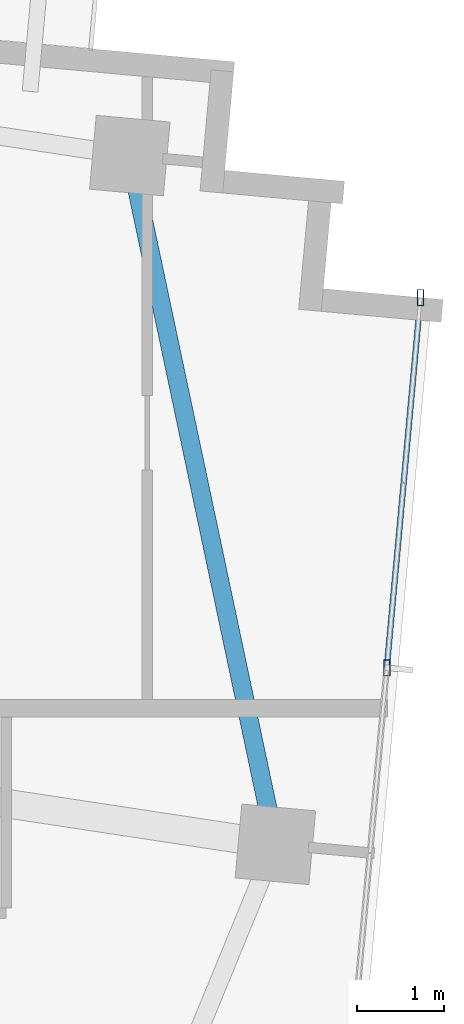
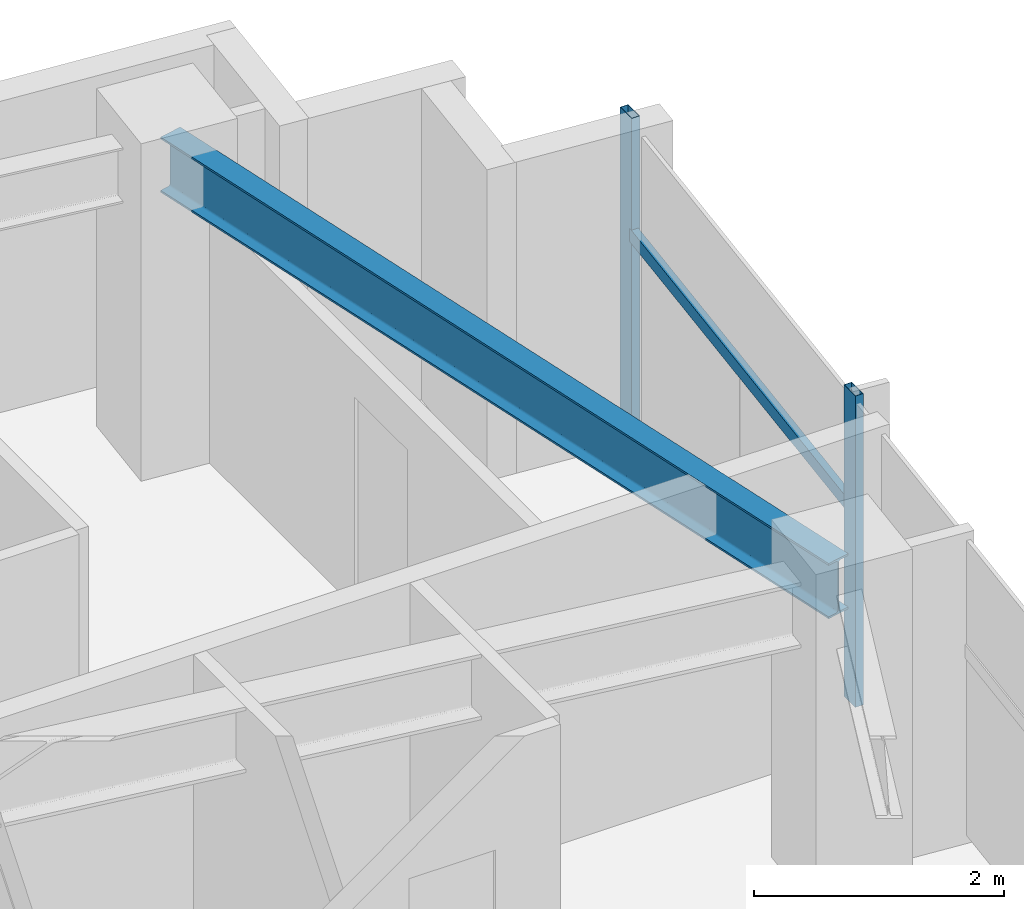
# One storey, part 14 of 22: 3 members, 1 beam, 1 element without a shape of its own.
"""IFC4 building model written with IfcOpenShell, lengths in metres."""

from ifc_helpers import new_model, si_unit, direction, frame, origin, origin_2d, place, context, subcontext, project, spatial, hollow_rectangle, i_section, extrude, source, transform, mapped, material, material_profile, profile_set, type_object, type_shapes, element, aggregate, save


model = new_model("IFC4")

# Units and contexts
model_context = context("Model", 3, precision=1e-05, world=origin(), true_north=direction((0.0, 1.0)))
body_context = subcontext(model_context, "Body", "Model", "MODEL_VIEW")
ifc_project = project(units=[si_unit("LENGTHUNIT", "METRE"), si_unit("AREAUNIT", "SQUARE_METRE"), si_unit("VOLUMEUNIT", "CUBIC_METRE"), si_unit("PLANEANGLEUNIT", "RADIAN"), si_unit("MASSUNIT", "GRAM", prefix="KILO")], contexts=[model_context])

# Site, building, storey
site_placement = place(None, origin())
site = spatial("IfcSite", under=ifc_project, at=site_placement, CompositionType="ELEMENT")
building_placement = place(site_placement, origin())
building = spatial("IfcBuilding", under=site, at=building_placement, Name="Astriad Promenade Condominiums", CompositionType="ELEMENT")
storey_placement = place(building_placement, frame((0.0, 0.0, 233.10009765625)))
storey = spatial("IfcBuildingStorey", under=building, at=storey_placement, Name="L67", CompositionType="ELEMENT", Elevation=233.10009765625)

# Beam
ifc_material_1 = material(Name="Steel ASTM A992 Grade 50", Category="steel")
ifc_material_profile_1 = material_profile(ifc_material_1, i_section(OverallWidth=0.210693359375, OverallDepth=0.53955078125, WebThickness=0.01171875, FlangeThickness=0.018798828125, FilletRadius=0.0166015625, at=origin_2d()), Name="W21X73")
ifc_profile_set_1 = profile_set([ifc_material_profile_1], Name="Steel ASTM A992 Grade 50")
beam_type = type_object("IfcBeamType", Name="STEEL SPANDREL BEAM W21X73", PredefinedType="SPANDREL", material=ifc_profile_set_1)
shared_shape_1 = source(origin(), body_context, "Body", "SweptSolid", [
    extrude(i_section(OverallWidth=0.210693359375, OverallDepth=0.53955078125, WebThickness=0.01171875, FlangeThickness=0.018798828125, FilletRadius=0.0166015625, at=origin_2d()), origin(), (0.0, 0.0, 1.0), 7.99853515625),
])
type_shapes(beam_type, [shared_shape_1])
beam_placement = place(storey_placement, frame((54.88037109375, 16.02880859375, 2.77001953125), z_axis=(-0.20676418926, 0.978390806396, 0.0), x_axis=(-0.978390806396, -0.20676418926, 0.0)))
element("IfcBeam", 1, at=beam_placement, inside=storey, type_object=beam_type, Name="Perimeter Spandrel Beam SP-E2-L67", PredefinedType="SPANDREL", context=body_context, shape_type="MappedRepresentation", body=[
    mapped(shared_shape_1, transform((0.0, 0.0, 0.0), scale=1.0)),
])

# Curtain wall, members
ifc_material_2 = material(Name="Anodised aluminium Black Dark Glass Unitised", Category="aluminium")
curtain_wall_type = type_object("IfcCurtainWallType", Name="CW-B5-DARK", PredefinedType="USERDEFINED", material=ifc_material_2)
curtain_wall_placement = place(storey_placement, origin())
curtain_wall = element("IfcCurtainWall", 2, at=curtain_wall_placement, inside=storey, type_object=curtain_wall_type, Name="CW-L67-E", ObjectType="UNITISED_CURTAIN_WALL", PredefinedType="USERDEFINED")
ifc_material_3 = material(Name="Anodised aluminium 6063-T6 Black", Category="aluminium")
ifc_material_profile_2 = material_profile(ifc_material_3, hollow_rectangle(XDim=0.074951171875, YDim=0.18505859375, WallThickness=0.00439453125, at=origin_2d()), Name="ALU-MUL-75X185")
ifc_profile_set_2 = profile_set([ifc_material_profile_2], Name="Anodised aluminium 6063-T6 Black")
member_type_1 = type_object("IfcMemberType", Name="MUL-ALU-MUL-75X185", PredefinedType="MULLION", material=ifc_profile_set_2)
shared_shape_2 = source(origin(), body_context, "Body", "SweptSolid", [
    extrude(hollow_rectangle(XDim=0.074951171875, YDim=0.18505859375, WallThickness=0.00439453125, at=origin_2d()), origin(), (0.0, 0.0, 1.0), 3.039794921875),
])
type_shapes(member_type_1, [shared_shape_2])
member_1_placement = place(storey_placement, frame((56.55419921875, 22.2646484375, 0.0), z_axis=(0.0, 0.0, 1.0), x_axis=(1.0, 0.0, 0.0)))
member_1 = element("IfcMember", 3, at=member_1_placement, type_object=member_type_1, Name="CW-L67-E-MUL-00", PredefinedType="MULLION", context=body_context, shape_type="MappedRepresentation", body=[
    mapped(shared_shape_2, transform((0.0, 0.0, 0.0), scale=1.0)),
])
member_2_placement = place(storey_placement, frame((56.16748046875, 18.015625, 0.0), z_axis=(0.0, 0.0, 1.0), x_axis=(1.0, 0.0, 0.0)))
member_2 = element("IfcMember", 4, at=member_2_placement, type_object=member_type_1, Name="CW-L67-E-MUL-01", PredefinedType="MULLION", context=body_context, shape_type="MappedRepresentation", body=[
    mapped(shared_shape_2, transform((0.0, 0.0, 0.0), scale=1.0)),
])
ifc_material_profile_3 = material_profile(ifc_material_3, hollow_rectangle(XDim=0.06494140625, YDim=0.1298828125, WallThickness=0.00390625, at=origin_2d()), Name="ALU-TRN-65X130")
ifc_profile_set_3 = profile_set([ifc_material_profile_3], Name="Anodised aluminium 6063-T6 Black")
member_type_2 = type_object("IfcMemberType", Name="TRN-ALU-TRN-65X130", PredefinedType="USERDEFINED", material=ifc_profile_set_3)
shared_shape_3 = source(origin(), body_context, "Body", "SweptSolid", [
    extrude(hollow_rectangle(XDim=0.06494140625, YDim=0.1298828125, WallThickness=0.00390625, at=origin_2d()), origin(), (0.0, 0.0, 1.0), 4.2666015625),
])
type_shapes(member_type_2, [shared_shape_3])
member_3_placement = place(storey_placement, frame((56.55419921875, 22.2646484375, 1.884765625), z_axis=(-0.090638931954, -0.99588382054, 0.0), x_axis=(0.99588382054, -0.090638931954, 0.0)))
member_3 = element("IfcMember", 5, at=member_3_placement, type_object=member_type_2, Name="CW-L67-E-TRN-00-0", ObjectType="TRANSOM", PredefinedType="USERDEFINED", context=body_context, shape_type="MappedRepresentation", body=[
    mapped(shared_shape_3, transform((0.0, 0.0, 0.0), scale=1.0)),
])
aggregate(curtain_wall, [member_1, member_2, member_3])

save(model, "model.ifc")
